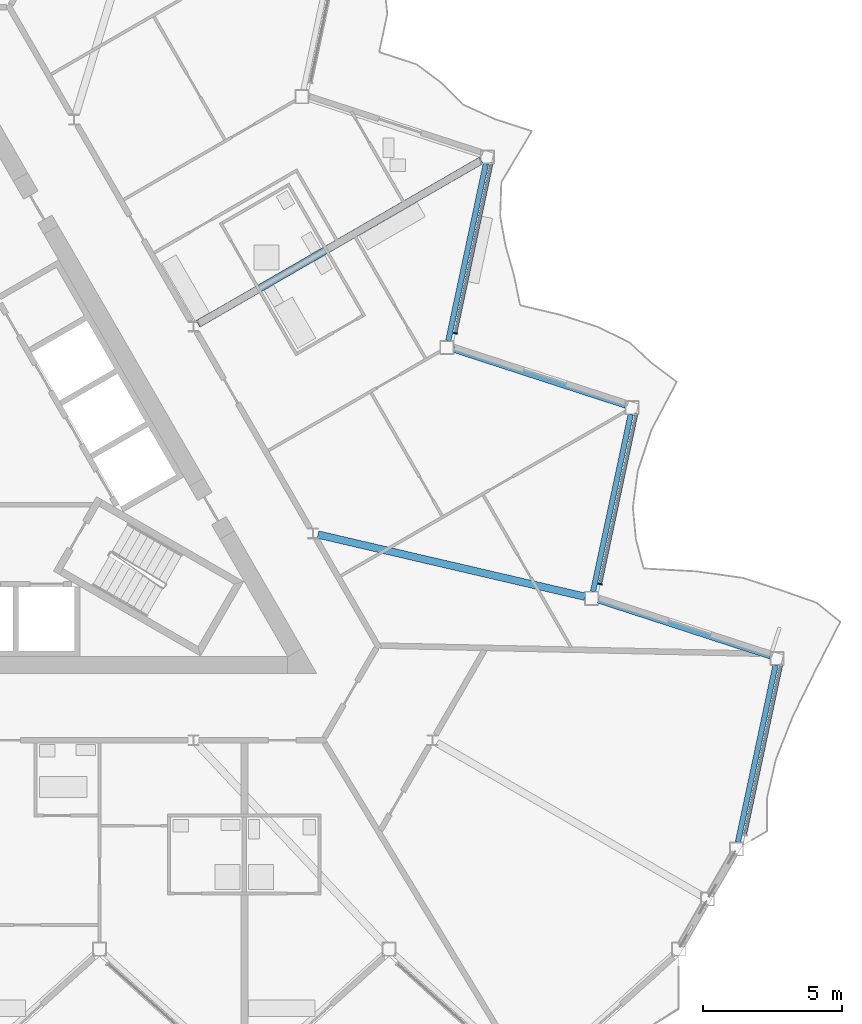
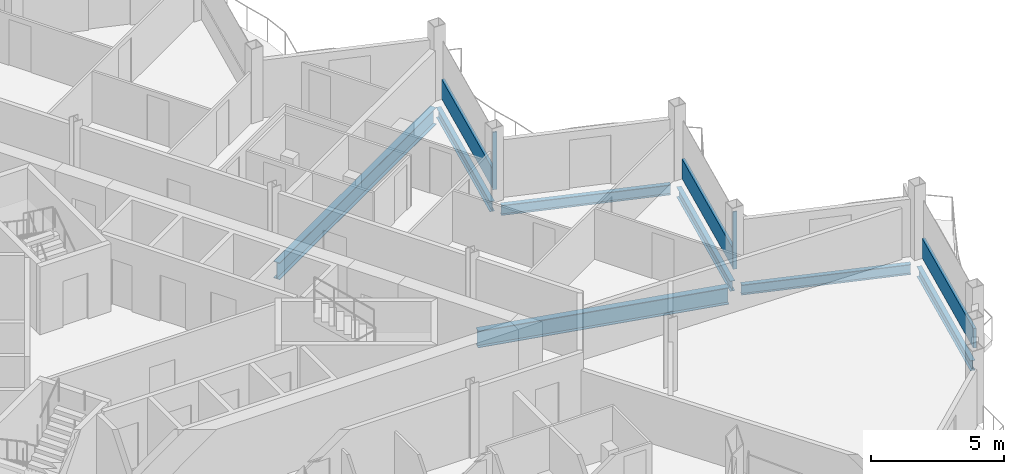
# One storey, part 8 of 25: 7 beams, 5 members, 3 elements without a shape of their own.
"""IFC4 building model written with IfcOpenShell, lengths in metres."""

from ifc_helpers import new_model, si_unit, direction, frame, origin, origin_2d, place, context, subcontext, project, spatial, rectangle, i_section, extrude, material, layer, layer_set, material_profile, profile_set, type_object, element, aggregate, save


model = new_model("IFC4")

# Units and contexts
model_context = context("Model", 3, precision=1e-05, world=origin(), true_north=direction((0.0, 1.0)))
body_context = subcontext(model_context, "Body", "Model", "MODEL_VIEW")
ifc_project = project(units=[si_unit("LENGTHUNIT", "METRE"), si_unit("AREAUNIT", "SQUARE_METRE"), si_unit("VOLUMEUNIT", "CUBIC_METRE"), si_unit("PLANEANGLEUNIT", "RADIAN"), si_unit("MASSUNIT", "GRAM", prefix="KILO")], contexts=[model_context])

# Site, building, storey
site_placement = place(None, origin())
site = spatial("IfcSite", under=ifc_project, at=site_placement, CompositionType="ELEMENT")
building_placement = place(site_placement, origin())
building = spatial("IfcBuilding", under=site, at=building_placement, Name="Cormorant Prow Tower", CompositionType="ELEMENT")
storey_placement = place(building_placement, frame((0.0, 0.0, 395.0)))
storey = spatial("IfcBuildingStorey", under=building, at=storey_placement, Name="L90", CompositionType="ELEMENT", Elevation=395.0)

# Beams
ifc_material_1 = material(Name="Structural steel ASTM A992 Gr 50", Category="steel")
ifc_material_profile_1 = material_profile(ifc_material_1, i_section(OverallWidth=0.267822265625, OverallDepth=0.77001953125, WebThickness=0.015625, FlangeThickness=0.025390625, at=origin_2d()), Name="W30x132")
ifc_profile_set_1 = profile_set([ifc_material_profile_1], Name="Structural steel ASTM A992 Gr 50")
beam_type_1 = type_object("IfcBeamType", Name="Radial floor beam W30x132", PredefinedType="BEAM", material=ifc_profile_set_1)
beam_1_placement = place(storey_placement, frame((13.0498046875, -2.518798828125, -0.68505859375), z_axis=(0.973926084128, -0.226865560752, 0.0), x_axis=(0.226865560752, 0.973926084128, 0.0)))
element("IfcBeam", 1, at=beam_1_placement, inside=storey, type_object=beam_type_1, Name="Radial floor beam FB3 10 L90", PredefinedType="BEAM", context=body_context, shape_type="SweptSolid", body=[
    extrude(i_section(OverallWidth=0.267822265625, OverallDepth=0.77001953125, WebThickness=0.015625, FlangeThickness=0.025390625, at=origin_2d()), origin(), (0.0, 0.0, 1.0), 9.837158203125),
])
beam_2_placement = place(storey_placement, frame((8.740478515625, 5.04638671875, -0.68505859375), z_axis=(0.866026702285, 0.499997750924, 0.0), x_axis=(-0.499997750924, 0.866026702285, 0.0)))
element("IfcBeam", 2, at=beam_2_placement, inside=storey, type_object=beam_type_1, Name="Radial floor beam FB3 11 L90", PredefinedType="BEAM", context=body_context, shape_type="SweptSolid", body=[
    extrude(i_section(OverallWidth=0.267822265625, OverallDepth=0.77001953125, WebThickness=0.015625, FlangeThickness=0.025390625, at=origin_2d()), origin(), (0.0, 0.0, 1.0), 11.7451171875),
])

# Curtain wall, member
ifc_material_2 = material(Name="Aluminium 6063-T6", Category="aluminium")
ifc_layer = layer(ifc_material_2, 0.159912109375)
ifc_layer_set = layer_set([ifc_layer], Name="Aluminium 6063-T6")
curtain_wall_type = type_object("IfcCurtainWallType", Name="Residential unitised curtain wall 160", PredefinedType="NOTDEFINED", material=ifc_layer_set)
curtain_wall_1_placement = place(storey_placement, origin())
curtain_wall_1 = element("IfcCurtainWall", 3, at=curtain_wall_1_placement, inside=storey, type_object=curtain_wall_type, Name="Residential curtain wall ENE02", PredefinedType="NOTDEFINED")
ifc_material_3 = material(Name="Aluminium 6063-T6", Category="aluminium")
ifc_material_profile_2 = material_profile(ifc_material_3, rectangle(XDim=0.159912109375, YDim=0.050048828125, at=origin_2d()), Name="Residential mullion 50x160")
ifc_profile_set_2 = profile_set([ifc_material_profile_2], Name="Aluminium 6063-T6")
member_type_1 = type_object("IfcMemberType", Name="Residential mullion 50x160", PredefinedType="MULLION", material=ifc_profile_set_2)
member_1_placement = place(storey_placement, frame((23.179443359375, -4.295166015625, 0.0), z_axis=(0.0, 0.0, 1.0), x_axis=(-0.978147609588, 0.207911649162, 0.0)))
member_1 = element("IfcMember", 4, at=member_1_placement, type_object=member_type_1, Name="Residential mullion ENE02", PredefinedType="MULLION", context=body_context, shape_type="SweptSolid", body=[
    extrude(rectangle(XDim=0.159912109375, YDim=0.050048828125, at=origin_2d()), origin(), (0.0, 0.0, 1.0), 2.6337890625),
])

curtain_wall_2_placement = place(storey_placement, origin())
curtain_wall_2 = element("IfcCurtainWall", 5, at=curtain_wall_2_placement, inside=storey, type_object=curtain_wall_type, Name="Residential curtain wall ENE04", PredefinedType="NOTDEFINED")
member_2_placement = place(storey_placement, frame((17.9794921875, 4.71142578125, 0.0), z_axis=(0.0, 0.0, 1.0), x_axis=(-0.978147609588, 0.207911649162, 0.0)))
member_2 = element("IfcMember", 6, at=member_2_placement, type_object=member_type_1, Name="Residential mullion ENE04", PredefinedType="MULLION", context=body_context, shape_type="SweptSolid", body=[
    extrude(rectangle(XDim=0.159912109375, YDim=0.050048828125, at=origin_2d()), origin(), (0.0, 0.0, 1.0), 2.6337890625),
])

curtain_wall_3_placement = place(storey_placement, origin())
curtain_wall_3 = element("IfcCurtainWall", 7, at=curtain_wall_3_placement, inside=storey, type_object=curtain_wall_type, Name="Residential curtain wall ENE00", PredefinedType="NOTDEFINED")
ifc_material_4 = material(Name="Terracotta", Category="masonry")
ifc_material_profile_3 = material_profile(ifc_material_4, rectangle(XDim=0.1201171875, YDim=0.89990234375, at=origin_2d()), Name="Residential terracotta spandrel rail 120x900")
ifc_profile_set_3 = profile_set([ifc_material_profile_3], Name="Terracotta")
member_type_2 = type_object("IfcMemberType", Name="Residential terracotta spandrel rail 120x900", PredefinedType="USERDEFINED", material=ifc_profile_set_3)
member_3_placement = place(storey_placement, frame((28.384765625, -13.27734375, 0.449951171875), z_axis=(0.207878957477, 0.978154557848, 0.0), x_axis=(-0.978154557848, 0.207878957477, 0.0)))
member_3 = element("IfcMember", 8, at=member_3_placement, type_object=member_type_2, Name="Residential spandrel rail ENE00", ObjectType="TRANSOM", PredefinedType="USERDEFINED", context=body_context, shape_type="SweptSolid", body=[
    extrude(rectangle(XDim=0.1201171875, YDim=0.89990234375, at=origin_2d()), origin(), (0.0, 0.0, 1.0), 6.215087890625),
])
aggregate(curtain_wall_3, [member_3])

# Member
member_4_placement = place(storey_placement, frame((23.1845703125, -4.270751953125, 0.449951171875), z_axis=(0.207908552773, 0.978148267741, 0.0), x_axis=(-0.978148267741, 0.207908552773, 0.0)))
member_4 = element("IfcMember", 9, at=member_4_placement, type_object=member_type_2, Name="Residential spandrel rail ENE02", ObjectType="TRANSOM", PredefinedType="USERDEFINED", context=body_context, shape_type="SweptSolid", body=[
    extrude(rectangle(XDim=0.1201171875, YDim=0.89990234375, at=origin_2d()), origin(), (0.0, 0.0, 1.0), 6.21533203125),
])

aggregate(curtain_wall_1, [member_1, member_4])

member_5_placement = place(storey_placement, frame((17.984619140625, 4.736083984375, 0.449951171875), z_axis=(0.207916541247, 0.978146569731, 0.0), x_axis=(-0.978146569731, 0.207916541247, 0.0)))
member_5 = element("IfcMember", 10, at=member_5_placement, type_object=member_type_2, Name="Residential spandrel rail ENE04", ObjectType="TRANSOM", PredefinedType="USERDEFINED", context=body_context, shape_type="SweptSolid", body=[
    extrude(rectangle(XDim=0.1201171875, YDim=0.89990234375, at=origin_2d()), origin(), (0.0, 0.0, 1.0), 6.215087890625),
])

aggregate(curtain_wall_2, [member_2, member_5])

# Beams
ifc_material_5 = material(Name="Structural steel ASTM A992 Gr 50", Category="steel")
ifc_material_profile_4 = material_profile(ifc_material_5, i_section(OverallWidth=0.19287109375, OverallDepth=0.466064453125, WebThickness=0.011474609375, FlangeThickness=0.01904296875, at=origin_2d()), Name="W18x65")
ifc_profile_set_4 = profile_set([ifc_material_profile_4], Name="Structural steel ASTM A992 Gr 50")
beam_type_2 = type_object("IfcBeamType", Name="Spandrel beam W18x65", PredefinedType="SPANDREL", material=ifc_profile_set_4)
beam_3_placement = place(storey_placement, frame((28.125732421875, -13.5693359375, -0.532958984375), z_axis=(0.207901897373, 0.978149682344, 0.0), x_axis=(-0.978149682344, 0.207901897373, 0.0)))
element("IfcBeam", 11, at=beam_3_placement, inside=storey, type_object=beam_type_2, Name="Spandrel beam SB4 ENE00-ENE01 L90", PredefinedType="SPANDREL", context=body_context, shape_type="SweptSolid", body=[
    extrude(i_section(OverallWidth=0.19287109375, OverallDepth=0.466064453125, WebThickness=0.011474609375, FlangeThickness=0.01904296875, at=origin_2d()), origin(), (0.0, 0.0, 1.0), 6.49755859375),
])
for number, where, z_axis, x_axis, name in (
    (12, (29.290771484375, -6.89208984375, -0.532958984375), (-0.951053396625, 0.309026595569, 0.0), (-0.309026595569, -0.951053396625, 0.0), "Spandrel beam SB4 ENE01-ENE02 L90"),
    (13, (22.92578125, -4.5625, -0.532958984375), (0.207909538847, 0.978148058147, 0.0), (-0.978148058147, 0.207909538847, 0.0), "Spandrel beam SB4 ENE02-ENE03 L90"),
    (14, (24.0908203125, 2.114501953125, -0.532958984375), (-0.951053396625, 0.309026595569, 0.0), (-0.309026595569, -0.951053396625, 0.0), "Spandrel beam SB4 ENE03-ENE04 L90"),
    (15, (17.725830078125, 4.444091796875, -0.532958984375), (0.207909538847, 0.978148058147, 0.0), (-0.978148058147, 0.207909538847, 0.0), "Spandrel beam SB4 ENE04-ENE05 L90"),
):
    element("IfcBeam", number, at=place(storey_placement, frame(where, z_axis=z_axis, x_axis=x_axis)), inside=storey, type_object=beam_type_2, Name=name, PredefinedType="SPANDREL", context=body_context, shape_type="SweptSolid", body=[
        extrude(i_section(OverallWidth=0.19287109375, OverallDepth=0.466064453125, WebThickness=0.011474609375, FlangeThickness=0.01904296875, at=origin_2d()), origin(), (0.0, 0.0, 1.0), 6.497314453125),
    ])

save(model, "model.ifc")
